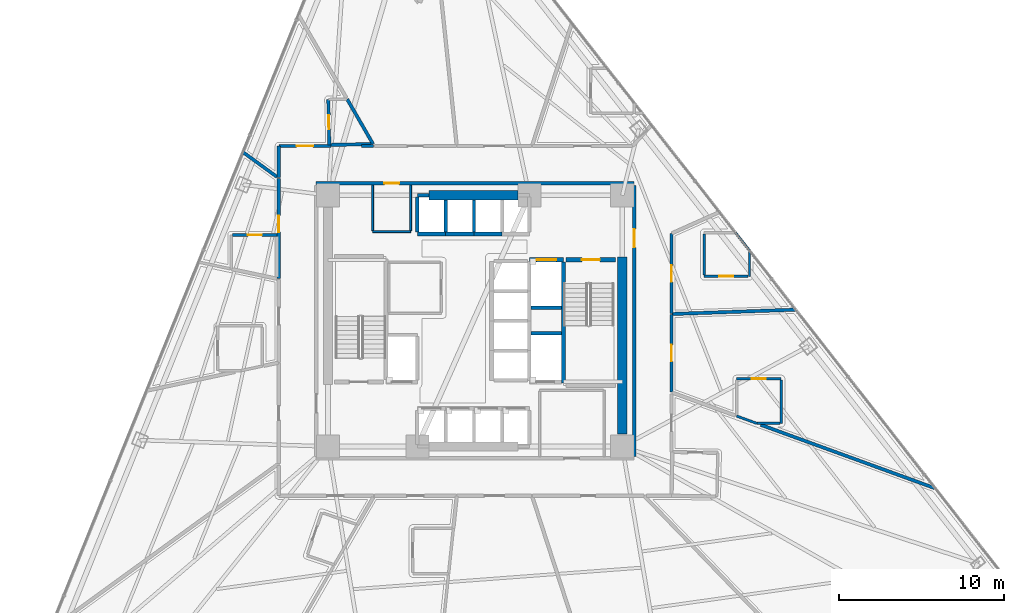
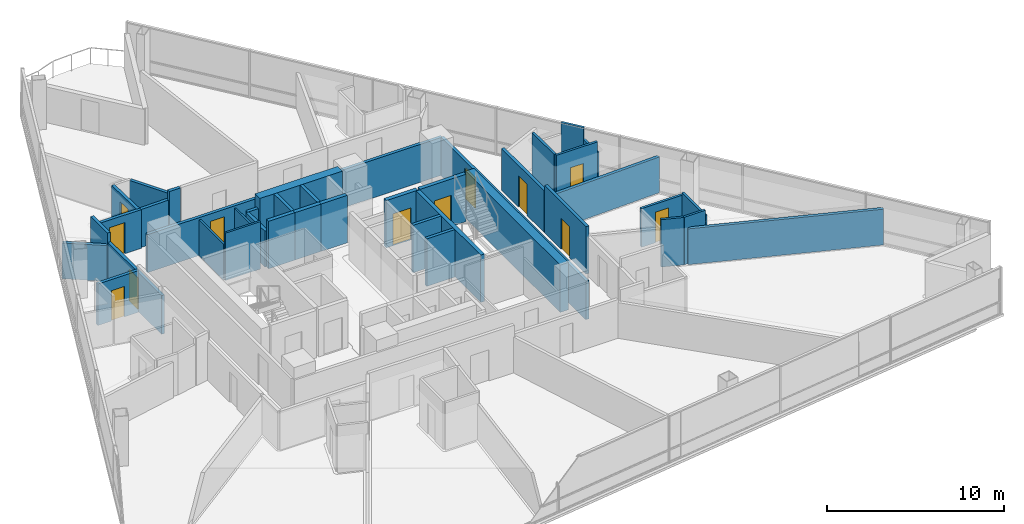
# One storey, part 9 of 15: 40 walls, 12 doors, 12 openings.
"""IFC4 building model written with IfcOpenShell, lengths in metres."""

from ifc_helpers import new_model, si_unit, direction, frame, frame_2d, origin, place, context, subcontext, project, spatial, rectangle, extrude, material, layer, layer_set, type_object, element, fill, save


model = new_model("IFC4")

# Units and contexts
model_context = context("Model", 3, precision=1e-05, world=origin(), true_north=direction((0.0, 1.0)))
body_context = subcontext(model_context, "Body", "Model", "MODEL_VIEW")
ifc_project = project(units=[si_unit("LENGTHUNIT", "METRE"), si_unit("AREAUNIT", "SQUARE_METRE"), si_unit("VOLUMEUNIT", "CUBIC_METRE"), si_unit("PLANEANGLEUNIT", "RADIAN"), si_unit("MASSUNIT", "GRAM", prefix="KILO")], contexts=[model_context])

# Site, building, storey
site_placement = place(None, origin())
site = spatial("IfcSite", under=ifc_project, at=site_placement, CompositionType="ELEMENT")
building_placement = place(site_placement, origin())
building = spatial("IfcBuilding", under=site, at=building_placement, Name="Tharavind Bronze Gate", CompositionType="ELEMENT")
storey_placement = place(building_placement, frame((0.0, 0.0, 63.85009765625)))
storey = spatial("IfcBuildingStorey", under=building, at=storey_placement, Name="L15", CompositionType="ELEMENT", Elevation=63.85009765625)

# Wall, opening, door
ifc_material_1 = material(Name="Aerated Concrete Block", Category="concrete")
ifc_layer_1 = layer(ifc_material_1, 0.199951171875)
ifc_layer_set_1 = layer_set([ifc_layer_1], Name="Aerated Concrete Block")
wall_type_1 = type_object("IfcWallType", Name="FIRE RATED PARTITION 200", PredefinedType="PARTITIONING", material=ifc_layer_set_1)
wall_1_placement = place(storey_placement, frame((9.6201171875, 8.320068359375, 0.0), z_axis=(0.0, 0.0, 1.0), x_axis=(-1.0, 0.0, 0.0)))
wall_1 = element("IfcWall", 1, at=wall_1_placement, inside=storey, type_object=wall_type_1, Name="L15 north core corridor wall", PredefinedType="PARTITIONING", context=body_context, shape_type="SweptSolid", body=[
    extrude(rectangle(XDim=19.240234375, YDim=0.199951171875, at=frame_2d((9.6201171875, 0.0))), origin(), (0.0, 0.0, 1.0), 2.619873046875),
])
opening_1_placement = place(wall_1_placement, frame((14.219970703125, 0.0, 0.0)))
opening_1 = element("IfcOpeningElement", 2, at=opening_1_placement, cuts=wall_1, Name="Opening ID07", PredefinedType="OPENING", context=body_context, shape_type="SweptSolid", body=[
    extrude(rectangle(XDim=0.89990234375, YDim=2.10009765625, at=frame_2d((0.449951171875, 1.050048828125))), frame((0.0, 0.11009765625, 0.0), z_axis=(0.0, -1.0, 0.0), x_axis=(1.0, 0.0, 0.0)), (0.0, 0.0, 1.0), 0.219951171875),
])
ifc_material_2 = material(Name="Galvanised Fire Steel", Category="steel")
door_type_1 = type_object("IfcDoorType", Name="PLANT AND RISER FIRE DOOR 900X2100", OperationType="SINGLE_SWING_LEFT", PredefinedType="DOOR", material=ifc_material_2)
door_1_placement = place(opening_1_placement, origin())
door_1 = element("IfcDoor", 3, at=door_1_placement, inside=storey, type_object=door_type_1, Name="L15 Electrical Switch Cupboard fire door", OperationType="SINGLE_SWING_LEFT", OverallHeight=2.10009765625, OverallWidth=0.89990234375, PredefinedType="DOOR", context=body_context, shape_type="SweptSolid", body=[
    extrude(rectangle(XDim=0.89990234375, YDim=2.10009765625, at=frame_2d((0.449951171875, 1.050048828125))), frame((0.0, 0.02490234375, 0.0), z_axis=(0.0, -1.0, 0.0), x_axis=(1.0, 0.0, 0.0)), (0.0, 0.0, 1.0), 0.050048828125),
])
fill(opening_1, door_1)

wall_2_placement = place(storey_placement, frame((9.6201171875, -8.199951171875, 0.0), z_axis=(0.0, 0.0, 1.0), x_axis=(0.0, 1.0, 0.0)))
wall_2 = element("IfcWall", 4, at=wall_2_placement, inside=storey, type_object=wall_type_1, Name="L15 east core corridor wall", PredefinedType="PARTITIONING", context=body_context, shape_type="SweptSolid", body=[
    extrude(rectangle(XDim=16.39990234375, YDim=0.199951171875, at=frame_2d((8.199951171875, 0.0))), origin(), (0.0, 0.0, 1.0), 2.669921875),
])
opening_2_placement = place(wall_2_placement, frame((12.64990234375, 0.0, 0.0)))
opening_2 = element("IfcOpeningElement", 5, at=opening_2_placement, cuts=wall_2, Name="Opening ID01", PredefinedType="OPENING", context=body_context, shape_type="SweptSolid", body=[
    extrude(rectangle(XDim=1.10009765625, YDim=2.14990234375, at=frame_2d((0.550048828125, 1.074951171875))), frame((0.0, 0.11009765625, 0.0), z_axis=(0.0, -1.0, 0.0), x_axis=(1.0, 0.0, 0.0)), (0.0, 0.0, 1.0), 0.219951171875),
])
ifc_material_3 = material(Name="Fire-Rated Steel", Category="steel")
door_type_2 = type_object("IfcDoorType", Name="STAIR CORE FIRE DOOR 1100X2150", OperationType="SINGLE_SWING_LEFT", PredefinedType="DOOR", material=ifc_material_3)
door_2_placement = place(opening_2_placement, frame((1.10009765625, 0.0, 0.0), z_axis=(0.0, 0.0, 1.0), x_axis=(-1.0, 0.0, 0.0)))
door_2 = element("IfcDoor", 6, at=door_2_placement, inside=storey, type_object=door_type_2, Name="L15 north east stair lobby fire door", OperationType="SINGLE_SWING_LEFT", OverallHeight=2.14990234375, OverallWidth=1.10009765625, PredefinedType="DOOR", context=body_context, shape_type="SweptSolid", body=[
    extrude(rectangle(XDim=1.10009765625, YDim=2.14990234375, at=frame_2d((0.550048828125, 1.074951171875))), frame((0.0, 0.02490234375, 0.0), z_axis=(0.0, -1.0, 0.0), x_axis=(1.0, 0.0, 0.0)), (0.0, 0.0, 1.0), 0.050048828125),
])
fill(opening_2, door_2)

wall_3_placement = place(storey_placement, frame((-8.8271484375, 10.644287109375, 0.0), z_axis=(0.0, 0.0, 1.0), x_axis=(-0.021041428763, 0.99977860463, 0.0)))
wall_3 = element("IfcWall", 7, at=wall_3_placement, inside=storey, type_object=wall_type_1, Name="L15 En-Suite Bathroom partition", PredefinedType="PARTITIONING", context=body_context, shape_type="SweptSolid", body=[
    extrude(rectangle(XDim=2.749755859375, YDim=0.199951171875, at=frame_2d((1.375, 0.0))), origin(), (0.0, 0.0, 1.0), 2.669921875),
])
opening_3_placement = place(wall_3_placement, frame((0.949951171875, 0.0, 0.0)))
opening_3 = element("IfcOpeningElement", 8, at=opening_3_placement, cuts=wall_3, Name="Opening ID06", PredefinedType="OPENING", context=body_context, shape_type="SweptSolid", body=[
    extrude(rectangle(XDim=0.85009765625, YDim=2.10009765625, at=frame_2d((0.425048828125, 1.050048828125))), frame((0.0, 0.11009765625, 0.0), z_axis=(0.0, -1.0, 0.0), x_axis=(1.0, 0.0, 0.0)), (0.0, 0.0, 1.0), 0.219951171875),
])
ifc_material_4 = material(Name="Moisture-Resistant Timber", Category="wood")
door_type_3 = type_object("IfcDoorType", Name="BATHROOM PRIVACY DOOR 850X2100", OperationType="SINGLE_SWING_RIGHT", PredefinedType="DOOR", material=ifc_material_4)
door_3_placement = place(opening_3_placement, origin())
door_3 = element("IfcDoor", 9, at=door_3_placement, inside=storey, type_object=door_type_3, Name="L15 En-Suite Bathroom door", OperationType="SINGLE_SWING_RIGHT", OverallHeight=2.10009765625, OverallWidth=0.85009765625, PredefinedType="DOOR", context=body_context, shape_type="SweptSolid", body=[
    extrude(rectangle(XDim=0.85009765625, YDim=2.10009765625, at=frame_2d((0.425048828125, 1.050048828125))), frame((0.0, 0.02490234375, 0.0), z_axis=(0.0, -1.0, 0.0), x_axis=(1.0, 0.0, 0.0)), (0.0, 0.0, 1.0), 0.050048828125),
])
fill(opening_3, door_3)

# Walls
wall_4_placement = place(storey_placement, frame((-7.74658203125, 13.41748046875, 0.0), z_axis=(0.0, 0.0, 1.0), x_axis=(0.50003000113, -0.866008081931, 0.0)))
element("IfcWall", 10, at=wall_4_placement, inside=storey, type_object=wall_type_1, Name="L15 En-Suite Bathroom partition", PredefinedType="PARTITIONING", context=body_context, shape_type="SweptSolid", body=[
    extrude(rectangle(XDim=3.137939453125, YDim=0.199951171875, at=frame_2d((1.56884765625, 0.0))), origin(), (0.0, 0.0, 1.0), 2.619873046875),
])
wall_5_placement = place(storey_placement, frame((-6.29736328125, 10.697509765625, 0.0), z_axis=(0.0, 0.0, 1.0), x_axis=(-0.999778667622, -0.021038435515, 0.0)))
element("IfcWall", 11, at=wall_5_placement, inside=storey, type_object=wall_type_1, Name="L15 En-Suite Bathroom partition", PredefinedType="PARTITIONING", context=body_context, shape_type="SweptSolid", body=[
    extrude(rectangle(XDim=2.42529296875, YDim=0.199951171875, at=frame_2d((1.212646484375, 0.0))), origin(), (0.0, 0.0, 1.0), 2.619873046875),
])

# Wall, opening, door
wall_6_placement = place(storey_placement, frame((-14.669921875, 5.20068359375, 0.0), z_axis=(0.0, 0.0, 1.0), x_axis=(1.0, 0.0, 0.0)))
wall_6 = element("IfcWall", 12, at=wall_6_placement, inside=storey, type_object=wall_type_1, Name="L15 En-Suite Bathroom partition", PredefinedType="PARTITIONING", context=body_context, shape_type="SweptSolid", body=[
    extrude(rectangle(XDim=2.669921875, YDim=0.199951171875, at=frame_2d((1.3349609375, 0.0))), origin(), (0.0, 0.0, 1.0), 2.869873046875),
])
opening_4_placement = place(wall_6_placement, frame((0.909912109375, 0.0, 0.0)))
opening_4 = element("IfcOpeningElement", 13, at=opening_4_placement, cuts=wall_6, Name="Opening ID06", PredefinedType="OPENING", context=body_context, shape_type="SweptSolid", body=[
    extrude(rectangle(XDim=0.85009765625, YDim=2.10009765625, at=frame_2d((0.425048828125, 1.050048828125))), frame((0.0, 0.11009765625, 0.0), z_axis=(0.0, -1.0, 0.0), x_axis=(1.0, 0.0, 0.0)), (0.0, 0.0, 1.0), 0.219951171875),
])
door_4_placement = place(opening_4_placement, origin())
door_4 = element("IfcDoor", 14, at=door_4_placement, inside=storey, type_object=door_type_3, Name="L15 En-Suite Bathroom door", OperationType="SINGLE_SWING_RIGHT", OverallHeight=2.10009765625, OverallWidth=0.85009765625, PredefinedType="DOOR", context=body_context, shape_type="SweptSolid", body=[
    extrude(rectangle(XDim=0.85009765625, YDim=2.10009765625, at=frame_2d((0.425048828125, 1.050048828125))), frame((0.0, 0.02490234375, 0.0), z_axis=(0.0, -1.0, 0.0), x_axis=(1.0, 0.0, 0.0)), (0.0, 0.0, 1.0), 0.050048828125),
])
fill(opening_4, door_4)

# Wall
wall_7_placement = place(storey_placement, frame((19.38818359375, 0.677001953125, 0.0), z_axis=(0.0, 0.0, 1.0), x_axis=(-0.999391073602, -0.034892434782, 0.0)))
element("IfcWall", 15, at=wall_7_placement, inside=storey, type_object=wall_type_1, Name="L15 Diplomatic Hotel Suite partition", PredefinedType="PARTITIONING", context=body_context, shape_type="SweptSolid", body=[
    extrude(rectangle(XDim=7.48681640625, YDim=0.199951171875, at=frame_2d((3.743408203125, 0.0))), origin(), (0.0, 0.0, 1.0), 2.469970703125),
])

# Wall, opening, door
wall_8_placement = place(storey_placement, frame((11.8798828125, 0.440673828125, 0.0), z_axis=(0.0, 0.0, 1.0), x_axis=(0.0, 1.0, 0.0)))
wall_8 = element("IfcWall", 16, at=wall_8_placement, inside=storey, type_object=wall_type_1, Name="L15 Diplomatic Hotel Suite partition", PredefinedType="PARTITIONING", context=body_context, shape_type="SweptSolid", body=[
    extrude(rectangle(XDim=4.83251953125, YDim=0.199951171875, at=frame_2d((2.416259765625, 0.0))), origin(), (0.0, 0.0, 1.0), 2.869873046875),
])
opening_5_placement = place(wall_8_placement, frame((1.916015625, 0.0, 0.0)))
opening_5 = element("IfcOpeningElement", 17, at=opening_5_placement, cuts=wall_8, Name="Opening ID03", PredefinedType="OPENING", context=body_context, shape_type="SweptSolid", body=[
    extrude(rectangle(XDim=1.0, YDim=2.14990234375, at=frame_2d((0.5, 1.074951171875))), frame((0.0, 0.11009765625, 0.0), z_axis=(0.0, -1.0, 0.0), x_axis=(1.0, 0.0, 0.0)), (0.0, 0.0, 1.0), 0.219951171875),
])
ifc_material_5 = material(Name="Solid Timber Veneer", Category="wood")
door_type_4 = type_object("IfcDoorType", Name="HOTEL SUITE ENTRANCE DOOR 1000X2150", OperationType="SINGLE_SWING_LEFT", PredefinedType="DOOR", material=ifc_material_5)
door_5_placement = place(opening_5_placement, origin())
door_5 = element("IfcDoor", 18, at=door_5_placement, inside=storey, type_object=door_type_4, Name="L15 Diplomatic Hotel Suite door", OperationType="SINGLE_SWING_LEFT", OverallHeight=2.14990234375, OverallWidth=1.0, PredefinedType="DOOR", context=body_context, shape_type="SweptSolid", body=[
    extrude(rectangle(XDim=1.0, YDim=2.14990234375, at=frame_2d((0.5, 1.074951171875))), frame((0.0, 0.02490234375, 0.0), z_axis=(0.0, -1.0, 0.0), x_axis=(1.0, 0.0, 0.0)), (0.0, 0.0, 1.0), 0.050048828125),
])
fill(opening_5, door_5)

# Walls
wall_9_placement = place(storey_placement, frame((-11.8798828125, 10.579345703125, 0.0), z_axis=(0.0, 0.0, 1.0), x_axis=(0.0, -1.0, 0.0)))
element("IfcWall", 19, at=wall_9_placement, inside=storey, type_object=wall_type_1, Name="L15 Hotel Deluxe Room partition", PredefinedType="PARTITIONING", context=body_context, shape_type="SweptSolid", body=[
    extrude(rectangle(XDim=1.89892578125, YDim=0.199951171875, at=frame_2d((0.949462890625, 0.0))), origin(), (0.0, 0.0, 1.0), 3.27490234375),
])
wall_10_placement = place(storey_placement, frame((-11.985107421875, 8.70751953125, 0.0), z_axis=(0.0, 0.0, 1.0), x_axis=(-0.808973513656, 0.587845093713, 0.0)))
element("IfcWall", 20, at=wall_10_placement, inside=storey, type_object=wall_type_1, Name="L15 Hotel Deluxe Room partition", PredefinedType="PARTITIONING", context=body_context, shape_type="SweptSolid", body=[
    extrude(rectangle(XDim=2.533935546875, YDim=0.199951171875, at=frame_2d((1.26708984375, 0.0))), origin(), (0.0, 0.0, 1.0), 2.469970703125),
])
wall_11_placement = place(storey_placement, frame((-6.151611328125, 10.580078125, 0.0), z_axis=(0.0, 0.0, 1.0), x_axis=(-1.0, 0.0, 0.0)))
element("IfcWall", 21, at=wall_11_placement, inside=storey, type_object=wall_type_1, Name="L15 Hotel Deluxe Room partition", PredefinedType="PARTITIONING", context=body_context, shape_type="SweptSolid", body=[
    extrude(rectangle(XDim=0.73779296875, YDim=0.199951171875, at=frame_2d((0.368896484375, 0.0))), origin(), (0.0, 0.0, 1.0), 3.27490234375),
])

# Wall, opening, door
wall_12_placement = place(storey_placement, frame((-8.720703125, 10.580078125, 0.0), z_axis=(0.0, 0.0, 1.0), x_axis=(-1.0, 0.0, 0.0)))
wall_12 = element("IfcWall", 22, at=wall_12_placement, inside=storey, type_object=wall_type_1, Name="L15 Hotel Deluxe Room partition", PredefinedType="PARTITIONING", context=body_context, shape_type="SweptSolid", body=[
    extrude(rectangle(XDim=3.15869140625, YDim=0.199951171875, at=frame_2d((1.579345703125, 0.0))), origin(), (0.0, 0.0, 1.0), 2.669921875),
])
opening_6_placement = place(wall_12_placement, frame((1.0791015625, 0.0, 0.0)))
opening_6 = element("IfcOpeningElement", 23, at=opening_6_placement, cuts=wall_12, Name="Opening ID03", PredefinedType="OPENING", context=body_context, shape_type="SweptSolid", body=[
    extrude(rectangle(XDim=1.0, YDim=2.14990234375, at=frame_2d((0.5, 1.074951171875))), frame((0.0, 0.11009765625, 0.0), z_axis=(0.0, -1.0, 0.0), x_axis=(1.0, 0.0, 0.0)), (0.0, 0.0, 1.0), 0.219951171875),
])
door_6_placement = place(opening_6_placement, origin())
door_6 = element("IfcDoor", 24, at=door_6_placement, inside=storey, type_object=door_type_4, Name="L15 Hotel Deluxe Room door", OperationType="SINGLE_SWING_LEFT", OverallHeight=2.14990234375, OverallWidth=1.0, PredefinedType="DOOR", context=body_context, shape_type="SweptSolid", body=[
    extrude(rectangle(XDim=1.0, YDim=2.14990234375, at=frame_2d((0.5, 1.074951171875))), frame((0.0, 0.02490234375, 0.0), z_axis=(0.0, -1.0, 0.0), x_axis=(1.0, 0.0, 0.0)), (0.0, 0.0, 1.0), 0.050048828125),
])
fill(opening_6, door_6)

wall_13_placement = place(storey_placement, frame((-11.8798828125, 8.61865234375, 0.0), z_axis=(0.0, 0.0, 1.0), x_axis=(0.0, -1.0, 0.0)))
wall_13 = element("IfcWall", 25, at=wall_13_placement, inside=storey, type_object=wall_type_1, Name="L15 Hotel Guest Room partition", PredefinedType="PARTITIONING", context=body_context, shape_type="SweptSolid", body=[
    extrude(rectangle(XDim=6.062744140625, YDim=0.199951171875, at=frame_2d((3.03125, 0.0))), origin(), (0.0, 0.0, 1.0), 2.669921875),
])
opening_7_placement = place(wall_13_placement, frame((2.2509765625, 0.0, 0.0)))
opening_7 = element("IfcOpeningElement", 26, at=opening_7_placement, cuts=wall_13, Name="Opening ID03", PredefinedType="OPENING", context=body_context, shape_type="SweptSolid", body=[
    extrude(rectangle(XDim=1.0, YDim=2.14990234375, at=frame_2d((0.5, 1.074951171875))), frame((0.0, 0.11009765625, 0.0), z_axis=(0.0, -1.0, 0.0), x_axis=(1.0, 0.0, 0.0)), (0.0, 0.0, 1.0), 0.219951171875),
])
door_7_placement = place(opening_7_placement, origin())
door_7 = element("IfcDoor", 27, at=door_7_placement, inside=storey, type_object=door_type_4, Name="L15 Hotel Guest Room door", OperationType="SINGLE_SWING_LEFT", OverallHeight=2.14990234375, OverallWidth=1.0, PredefinedType="DOOR", context=body_context, shape_type="SweptSolid", body=[
    extrude(rectangle(XDim=1.0, YDim=2.14990234375, at=frame_2d((0.5, 1.074951171875))), frame((0.0, 0.02490234375, 0.0), z_axis=(0.0, -1.0, 0.0), x_axis=(1.0, 0.0, 0.0)), (0.0, 0.0, 1.0), 0.050048828125),
])
fill(opening_7, door_7)

# Wall
wall_14_placement = place(storey_placement, frame((17.27392578125, -6.287109375, 0.0), z_axis=(0.0, 0.0, 1.0), x_axis=(0.939692436803, -0.342020648814, 0.0)))
element("IfcWall", 28, at=wall_14_placement, inside=storey, type_object=wall_type_1, Name="L15 Corner Hotel Suite partition", PredefinedType="PARTITIONING", context=body_context, shape_type="SweptSolid", body=[
    extrude(rectangle(XDim=11.2275390625, YDim=0.199951171875, at=frame_2d((5.61376953125, 0.0))), origin(), (0.0, 0.0, 1.0), 2.469970703125),
])

# Wall, opening, door
wall_15_placement = place(storey_placement, frame((11.8798828125, -4.306396484375, 0.0), z_axis=(0.0, 0.0, 1.0), x_axis=(0.0, 1.0, 0.0)))
wall_15 = element("IfcWall", 29, at=wall_15_placement, inside=storey, type_object=wall_type_1, Name="L15 Hotel Guest Room partition", PredefinedType="PARTITIONING", context=body_context, shape_type="SweptSolid", body=[
    extrude(rectangle(XDim=4.697021484375, YDim=0.199951171875, at=frame_2d((2.3486328125, 0.0))), origin(), (0.0, 0.0, 1.0), 3.27490234375),
])
opening_8_placement = place(wall_15_placement, frame((1.84912109375, 0.0, 0.0)))
opening_8 = element("IfcOpeningElement", 30, at=opening_8_placement, cuts=wall_15, Name="Opening ID03", PredefinedType="OPENING", context=body_context, shape_type="SweptSolid", body=[
    extrude(rectangle(XDim=1.0, YDim=2.14990234375, at=frame_2d((0.5, 1.074951171875))), frame((0.0, 0.11009765625, 0.0), z_axis=(0.0, -1.0, 0.0), x_axis=(1.0, 0.0, 0.0)), (0.0, 0.0, 1.0), 0.219951171875),
])
door_8_placement = place(opening_8_placement, origin())
door_8 = element("IfcDoor", 31, at=door_8_placement, inside=storey, type_object=door_type_4, Name="L15 Hotel Guest Room door", OperationType="SINGLE_SWING_LEFT", OverallHeight=2.14990234375, OverallWidth=1.0, PredefinedType="DOOR", context=body_context, shape_type="SweptSolid", body=[
    extrude(rectangle(XDim=1.0, YDim=2.14990234375, at=frame_2d((0.5, 1.074951171875))), frame((0.0, 0.02490234375, 0.0), z_axis=(0.0, -1.0, 0.0), x_axis=(1.0, 0.0, 0.0)), (0.0, 0.0, 1.0), 0.050048828125),
])
fill(opening_8, door_8)

# Walls
ifc_material_6 = material(Name="Metal Stud Gypsum Partition", Category="gypsum")
ifc_layer_2 = layer(ifc_material_6, 0.1201171875)
ifc_layer_set_2 = layer_set([ifc_layer_2], Name="Metal Stud Gypsum Partition")
wall_type_2 = type_object("IfcWallType", Name="INTERIOR PARTITION WALL 120", PredefinedType="PARTITIONING", material=ifc_layer_set_2)
wall_16_placement = place(storey_placement, frame((-6.199951171875, 5.39990234375, 0.0), z_axis=(0.0, 0.0, 1.0), x_axis=(1.0, 0.0, 0.0)))
element("IfcWall", 32, at=wall_16_placement, inside=storey, type_object=wall_type_2, Name="L15 Electrical Switch Cupboard partition 1", PredefinedType="PARTITIONING", context=body_context, shape_type="SweptSolid", body=[
    extrude(rectangle(XDim=2.300048828125, YDim=0.1201171875, at=frame_2d((1.14990234375, 0.0))), origin(), (0.0, 0.0, 1.0), 3.27490234375),
])
for number, where, z_axis, x_axis, name in (
    (33, (-3.89990234375, 5.465087890625, 0.0), (0.0, 0.0, 1.0), (0.0, 1.0, 0.0), "L15 Electrical Switch Cupboard partition 2"),
    (34, (-6.199951171875, 8.215087890625, 0.0), (0.0, 0.0, 1.0), (0.0, -1.0, 0.0), "L15 Electrical Switch Cupboard partition 4"),
):
    element("IfcWall", number, at=place(storey_placement, frame(where, z_axis=z_axis, x_axis=x_axis)), inside=storey, type_object=wall_type_2, Name=name, PredefinedType="PARTITIONING", context=body_context, shape_type="SweptSolid", body=[
        extrude(rectangle(XDim=2.75, YDim=0.1201171875, at=frame_2d((1.375, 0.0))), origin(), (0.0, 0.0, 1.0), 2.469970703125),
    ])
ifc_material_7 = material(Name="Twin Stud Acoustic Gypsum", Category="gypsum")
ifc_layer_3 = layer(ifc_material_7, 0.14990234375)
ifc_layer_set_3 = layer_set([ifc_layer_3], Name="Twin Stud Acoustic Gypsum")
wall_type_3 = type_object("IfcWallType", Name="INTERIOR PARTITION WALL 150", PredefinedType="PARTITIONING", material=ifc_layer_set_3)
wall_17_placement = place(storey_placement, frame((15.742919921875, 5.3427734375, 0.0), z_axis=(0.0, 0.0, 1.0), x_axis=(0.615650847495, -0.788019056862, 0.0)))
element("IfcWall", 35, at=wall_17_placement, inside=storey, type_object=wall_type_3, Name="L15 En-Suite Bathroom partition", PredefinedType="PARTITIONING", context=body_context, shape_type="SweptSolid", body=[
    extrude(rectangle(XDim=1.392333984375, YDim=0.14990234375, at=frame_2d((0.6962890625, 0.0))), origin(), (0.0, 0.0, 1.0), 3.27490234375),
])
wall_18_placement = place(storey_placement, frame((16.60009765625, 4.24560546875, 0.0), z_axis=(0.0, 0.0, 1.0), x_axis=(0.0, -1.0, 0.0)))
element("IfcWall", 36, at=wall_18_placement, inside=storey, type_object=wall_type_3, Name="L15 En-Suite Bathroom partition", PredefinedType="PARTITIONING", context=body_context, shape_type="SweptSolid", body=[
    extrude(rectangle(XDim=1.552978515625, YDim=0.14990234375, at=frame_2d((0.7763671875, 0.0))), origin(), (0.0, 0.0, 1.0), 2.469970703125),
])

# Wall, opening, door
wall_19_placement = place(storey_placement, frame((16.52001953125, 2.692626953125, 0.0), z_axis=(0.0, 0.0, 1.0), x_axis=(-1.0, 0.0, 0.0)))
wall_19 = element("IfcWall", 37, at=wall_19_placement, inside=storey, type_object=wall_type_3, Name="L15 En-Suite Bathroom partition", PredefinedType="PARTITIONING", context=body_context, shape_type="SweptSolid", body=[
    extrude(rectangle(XDim=2.669921875, YDim=0.14990234375, at=frame_2d((1.3349609375, 0.0))), origin(), (0.0, 0.0, 1.0), 3.27490234375),
])
opening_9_placement = place(wall_19_placement, frame((0.909912109375, 0.0, 0.0)))
opening_9 = element("IfcOpeningElement", 38, at=opening_9_placement, cuts=wall_19, Name="Opening ID06", PredefinedType="OPENING", context=body_context, shape_type="SweptSolid", body=[
    extrude(rectangle(XDim=0.85009765625, YDim=2.10009765625, at=frame_2d((0.425048828125, 1.050048828125))), frame((0.0, 0.084951171875, 0.0), z_axis=(0.0, -1.0, 0.0), x_axis=(1.0, 0.0, 0.0)), (0.0, 0.0, 1.0), 0.16990234375),
])
door_9_placement = place(opening_9_placement, origin())
door_9 = element("IfcDoor", 39, at=door_9_placement, inside=storey, type_object=door_type_3, Name="L15 En-Suite Bathroom door", OperationType="SINGLE_SWING_RIGHT", OverallHeight=2.10009765625, OverallWidth=0.85009765625, PredefinedType="DOOR", context=body_context, shape_type="SweptSolid", body=[
    extrude(rectangle(XDim=0.85009765625, YDim=2.10009765625, at=frame_2d((0.425048828125, 1.050048828125))), frame((0.0, 0.02490234375, 0.0), z_axis=(0.0, -1.0, 0.0), x_axis=(1.0, 0.0, 0.0)), (0.0, 0.0, 1.0), 0.050048828125),
])
fill(opening_9, door_9)

# Wall
wall_20_placement = place(storey_placement, frame((13.85009765625, 2.772705078125, 0.0), z_axis=(0.0, 0.0, 1.0), x_axis=(0.0, 1.0, 0.0)))
element("IfcWall", 40, at=wall_20_placement, inside=storey, type_object=wall_type_3, Name="L15 En-Suite Bathroom partition", PredefinedType="PARTITIONING", context=body_context, shape_type="SweptSolid", body=[
    extrude(rectangle(XDim=2.489990234375, YDim=0.14990234375, at=frame_2d((1.2451171875, 0.0))), origin(), (0.0, 0.0, 1.0), 3.27490234375),
])

# Wall, opening, door
wall_21_placement = place(storey_placement, frame((15.820068359375, -3.507080078125, 0.0), z_axis=(0.0, 0.0, 1.0), x_axis=(1.0, 0.0, 0.0)))
wall_21 = element("IfcWall", 41, at=wall_21_placement, inside=storey, type_object=wall_type_3, Name="L15 En-Suite Bathroom partition", PredefinedType="PARTITIONING", context=body_context, shape_type="SweptSolid", body=[
    extrude(rectangle(XDim=2.699951171875, YDim=0.14990234375, at=frame_2d((1.35009765625, 0.0))), origin(), (0.0, 0.0, 1.0), 2.669921875),
])
opening_10_placement = place(wall_21_placement, frame((0.925048828125, 0.0, 0.0)))
opening_10 = element("IfcOpeningElement", 42, at=opening_10_placement, cuts=wall_21, Name="Opening ID06", PredefinedType="OPENING", context=body_context, shape_type="SweptSolid", body=[
    extrude(rectangle(XDim=0.85009765625, YDim=2.10009765625, at=frame_2d((0.425048828125, 1.050048828125))), frame((0.0, 0.084951171875, 0.0), z_axis=(0.0, -1.0, 0.0), x_axis=(1.0, 0.0, 0.0)), (0.0, 0.0, 1.0), 0.16990234375),
])
door_10_placement = place(opening_10_placement, origin())
door_10 = element("IfcDoor", 43, at=door_10_placement, inside=storey, type_object=door_type_3, Name="L15 En-Suite Bathroom door", OperationType="SINGLE_SWING_RIGHT", OverallHeight=2.10009765625, OverallWidth=0.85009765625, PredefinedType="DOOR", context=body_context, shape_type="SweptSolid", body=[
    extrude(rectangle(XDim=0.85009765625, YDim=2.10009765625, at=frame_2d((0.425048828125, 1.050048828125))), frame((0.0, 0.02490234375, 0.0), z_axis=(0.0, -1.0, 0.0), x_axis=(1.0, 0.0, 0.0)), (0.0, 0.0, 1.0), 0.050048828125),
])
fill(opening_10, door_10)

# Walls
wall_22_placement = place(storey_placement, frame((18.52001953125, -3.587158203125, 0.0), z_axis=(0.0, 0.0, 1.0), x_axis=(0.0, -1.0, 0.0)))
element("IfcWall", 44, at=wall_22_placement, inside=storey, type_object=wall_type_3, Name="L15 En-Suite Bathroom partition", PredefinedType="PARTITIONING", context=body_context, shape_type="SweptSolid", body=[
    extrude(rectangle(XDim=2.6201171875, YDim=0.14990234375, at=frame_2d((1.31005859375, 0.0))), origin(), (0.0, 0.0, 1.0), 2.869873046875),
])
wall_23_placement = place(storey_placement, frame((18.440185546875, -6.207275390625, 0.0), z_axis=(0.0, 0.0, 1.0), x_axis=(-1.0, 0.0, 0.0)))
element("IfcWall", 45, at=wall_23_placement, inside=storey, type_object=wall_type_3, Name="L15 En-Suite Bathroom partition", PredefinedType="PARTITIONING", context=body_context, shape_type="SweptSolid", body=[
    extrude(rectangle(XDim=1.38623046875, YDim=0.14990234375, at=frame_2d((0.693115234375, 0.0))), origin(), (0.0, 0.0, 1.0), 3.27490234375),
])
wall_24_placement = place(storey_placement, frame((17.053955078125, -6.207275390625, 0.0), z_axis=(0.0, 0.0, 1.0), x_axis=(-0.939663072244, 0.342101316369, 0.0)))
element("IfcWall", 46, at=wall_24_placement, inside=storey, type_object=wall_type_3, Name="L15 En-Suite Bathroom partition", PredefinedType="PARTITIONING", context=body_context, shape_type="SweptSolid", body=[
    extrude(rectangle(XDim=1.313232421875, YDim=0.14990234375, at=frame_2d((0.65673828125, 0.0))), origin(), (0.0, 0.0, 1.0), 3.27490234375),
])
ifc_material_8 = material(Name="Concrete C50/60", Category="concrete")
ifc_layer_4 = layer(ifc_material_8, 0.25)
ifc_layer_set_4 = layer_set([ifc_layer_4], Name="Concrete C50/60")
wall_type_4 = type_object("IfcWallType", Name="RC CORE SHEAR WALL 250", PredefinedType="SHEAR", material=ifc_layer_set_4)
wall_25_placement = place(storey_placement, frame((5.35009765625, -3.75, 0.0), z_axis=(0.0, 0.0, 1.0), x_axis=(0.0, 1.0, 0.0)))
element("IfcWall", 47, at=wall_25_placement, inside=storey, type_object=wall_type_4, Name="L15 ST2 shaft west wall", PredefinedType="SHEAR", context=body_context, shape_type="SweptSolid", body=[
    extrude(rectangle(XDim=7.300048828125, YDim=0.25, at=frame_2d((3.64990234375, 0.0))), origin(), (0.0, 0.0, 1.0), 3.27490234375),
])

# Wall, opening, door
wall_26_placement = place(storey_placement, frame((5.5, 3.699951171875, 0.0), z_axis=(0.0, 0.0, 1.0), x_axis=(1.0, 0.0, 0.0)))
wall_26 = element("IfcWall", 48, at=wall_26_placement, inside=storey, type_object=wall_type_4, Name="L15 ST2 shaft north wall", PredefinedType="SHEAR", context=body_context, shape_type="SweptSolid", body=[
    extrude(rectangle(XDim=3.0, YDim=0.25, at=frame_2d((1.5, 0.0))), origin(), (0.0, 0.0, 1.0), 3.27490234375),
])
opening_11_placement = place(wall_26_placement, frame((0.949951171875, 0.0, 0.0)))
opening_11 = element("IfcOpeningElement", 49, at=opening_11_placement, cuts=wall_26, Name="Opening ID01", PredefinedType="OPENING", context=body_context, shape_type="SweptSolid", body=[
    extrude(rectangle(XDim=1.10009765625, YDim=2.14990234375, at=frame_2d((0.550048828125, 1.074951171875))), frame((0.0, 0.135, 0.0), z_axis=(0.0, -1.0, 0.0), x_axis=(1.0, 0.0, 0.0)), (0.0, 0.0, 1.0), 0.27),
])
door_11_placement = place(opening_11_placement, frame((1.10009765625, 0.0, 0.0), z_axis=(0.0, 0.0, 1.0), x_axis=(-1.0, 0.0, 0.0)))
door_11 = element("IfcDoor", 50, at=door_11_placement, inside=storey, type_object=door_type_2, Name="L15 exit stair ST2 fire door", OperationType="SINGLE_SWING_LEFT", OverallHeight=2.14990234375, OverallWidth=1.10009765625, PredefinedType="DOOR", context=body_context, shape_type="SweptSolid", body=[
    extrude(rectangle(XDim=1.10009765625, YDim=2.14990234375, at=frame_2d((0.550048828125, 1.074951171875))), frame((0.0, 0.02490234375, 0.0), z_axis=(0.0, -1.0, 0.0), x_axis=(1.0, 0.0, 0.0)), (0.0, 0.0, 1.0), 0.050048828125),
])
fill(opening_11, door_11)

# Walls
wall_27_placement = place(storey_placement, frame((-3.5, 5.25, 0.0), z_axis=(0.0, 0.0, 1.0), x_axis=(1.0, 0.0, 0.0)))
element("IfcWall", 51, at=wall_27_placement, inside=storey, type_object=wall_type_4, Name="L15 lift PL5 shaft front wall", PredefinedType="SHEAR", context=body_context, shape_type="SweptSolid", body=[
    extrude(rectangle(XDim=1.71240234375, YDim=0.25, at=frame_2d((0.856201171875, 0.0))), origin(), (0.0, 0.0, 1.0), 3.27490234375),
])
wall_28_placement = place(storey_placement, frame((-1.78759765625, 5.25, 0.0), z_axis=(0.0, 0.0, 1.0), x_axis=(1.0, 0.0, 0.0)))
element("IfcWall", 52, at=wall_28_placement, inside=storey, type_object=wall_type_4, Name="L15 lift PL6 shaft front wall", PredefinedType="SHEAR", context=body_context, shape_type="SweptSolid", body=[
    extrude(rectangle(XDim=1.712646484375, YDim=0.25, at=frame_2d((0.8564453125, 0.0))), origin(), (0.0, 0.0, 1.0), 3.27490234375),
])
wall_29_placement = place(storey_placement, frame((-0.074951171875, 5.25, 0.0), z_axis=(0.0, 0.0, 1.0), x_axis=(1.0, 0.0, 0.0)))
element("IfcWall", 53, at=wall_29_placement, inside=storey, type_object=wall_type_4, Name="L15 lift PL7 shaft front wall", PredefinedType="SHEAR", context=body_context, shape_type="SweptSolid", body=[
    extrude(rectangle(XDim=1.71240234375, YDim=0.25, at=frame_2d((0.856201171875, 0.0))), origin(), (0.0, 0.0, 1.0), 3.27490234375),
])

# Wall, opening, door
wall_30_placement = place(storey_placement, frame((3.280029296875, 3.699951171875, 0.0), z_axis=(0.0, 0.0, 1.0), x_axis=(1.0, 0.0, 0.0)))
wall_30 = element("IfcWall", 54, at=wall_30_placement, inside=storey, type_object=wall_type_4, Name="L15 lift FFL2 shaft front wall", PredefinedType="SHEAR", context=body_context, shape_type="SweptSolid", body=[
    extrude(rectangle(XDim=2.070068359375, YDim=0.25, at=frame_2d((1.03515625, 0.0))), origin(), (0.0, 0.0, 1.0), 3.27490234375),
])
opening_12_placement = place(wall_30_placement, frame((0.43505859375, 0.0, 0.0)))
opening_12 = element("IfcOpeningElement", 55, at=opening_12_placement, cuts=wall_30, Name="Opening LD02", PredefinedType="OPENING", context=body_context, shape_type="SweptSolid", body=[
    extrude(rectangle(XDim=1.199951171875, YDim=2.199951171875, at=frame_2d((0.60009765625, 1.10009765625))), frame((0.0, 0.135, 0.0), z_axis=(0.0, -1.0, 0.0), x_axis=(1.0, 0.0, 0.0)), (0.0, 0.0, 1.0), 0.27),
])
ifc_material_9 = material(Name="Brushed Stainless Steel", Category="steel")
door_type_5 = type_object("IfcDoorType", Name="FIREFIGHTING LIFT LANDING DOOR 1200X2200", OperationType="SLIDING_TO_RIGHT", PredefinedType="DOOR", material=ifc_material_9)
door_12_placement = place(opening_12_placement, origin())
door_12 = element("IfcDoor", 56, at=door_12_placement, inside=storey, type_object=door_type_5, Name="L15 lift FFL2 sliding landing door", OperationType="SLIDING_TO_RIGHT", OverallHeight=2.199951171875, OverallWidth=1.199951171875, PredefinedType="DOOR", context=body_context, shape_type="SweptSolid", body=[
    extrude(rectangle(XDim=1.199951171875, YDim=2.199951171875, at=frame_2d((0.60009765625, 1.10009765625))), frame((0.0, 0.02490234375, 0.0), z_axis=(0.0, -1.0, 0.0), x_axis=(1.0, 0.0, 0.0)), (0.0, 0.0, 1.0), 0.050048828125),
])
fill(opening_12, door_12)

# Walls
ifc_material_10 = material(Name="Concrete C60/75", Category="concrete")
ifc_layer_5 = layer(ifc_material_10, 0.550048828125)
ifc_layer_set_5 = layer_set([ifc_layer_5], Name="Concrete C60/75")
wall_type_5 = type_object("IfcWallType", Name="RC CORE SHEAR WALL 550", PredefinedType="SHEAR", material=ifc_layer_set_5)
wall_31_placement = place(storey_placement, frame((-2.800048828125, 7.60009765625, 0.0), z_axis=(0.0, 0.0, 1.0), x_axis=(1.0, 0.0, 0.0)))
element("IfcWall", 57, at=wall_31_placement, inside=storey, type_object=wall_type_5, Name="L15 north core shear wall", PredefinedType="SHEAR", context=body_context, shape_type="SweptSolid", body=[
    extrude(rectangle(XDim=5.380126953125, YDim=0.550048828125, at=frame_2d((2.68994140625, 0.0))), origin(), (0.0, 0.0, 1.0), 3.27490234375),
])
wall_32_placement = place(storey_placement, frame((8.89990234375, -6.85009765625, 0.0), z_axis=(0.0, 0.0, 1.0), x_axis=(0.0, 1.0, 0.0)))
element("IfcWall", 58, at=wall_32_placement, inside=storey, type_object=wall_type_5, Name="L15 east core shear wall", PredefinedType="SHEAR", context=body_context, shape_type="SweptSolid", body=[
    extrude(rectangle(XDim=10.7001953125, YDim=0.550048828125, at=frame_2d((5.35009765625, 0.0))), origin(), (0.0, 0.0, 1.0), 3.27490234375),
])
ifc_material_11 = material(Name="Concrete C40/50", Category="concrete")
ifc_layer_6 = layer(ifc_material_11, 0.199951171875)
ifc_layer_set_6 = layer_set([ifc_layer_6], Name="Concrete C40/50")
wall_type_6 = type_object("IfcWallType", Name="SHAFT ENCLOSURE WALL 200", PredefinedType="PARTITIONING", material=ifc_layer_set_6)
wall_33_placement = place(storey_placement, frame((-3.5, 7.60009765625, 0.0), z_axis=(0.0, 0.0, 1.0), x_axis=(1.0, 0.0, 0.0)))
element("IfcWall", 59, at=wall_33_placement, inside=storey, type_object=wall_type_6, Name="L15 lift PL5 shaft N enclosure wall", PredefinedType="PARTITIONING", context=body_context, shape_type="SweptSolid", body=[
    extrude(rectangle(XDim=0.699951171875, YDim=0.199951171875, at=frame_2d((0.35009765625, 0.0))), origin(), (0.0, 0.0, 1.0), 2.469970703125),
])
wall_34_placement = place(storey_placement, frame((-3.5, 5.3798828125, 0.0), z_axis=(0.0, 0.0, 1.0), x_axis=(0.0, 1.0, 0.0)))
element("IfcWall", 60, at=wall_34_placement, inside=storey, type_object=wall_type_6, Name="L15 lift PL5 shaft W enclosure wall", PredefinedType="PARTITIONING", context=body_context, shape_type="SweptSolid", body=[
    extrude(rectangle(XDim=2.115234375, YDim=0.199951171875, at=frame_2d((1.0576171875, 0.0))), origin(), (0.0, 0.0, 1.0), 2.469970703125),
])
for number, where, z_axis, x_axis, name in (
    (61, (-1.78759765625, 5.3798828125, 0.0), (0.0, 0.0, 1.0), (0.0, 1.0, 0.0), "L15 lift PL5 shaft E enclosure wall"),
    (62, (-0.074951171875, 5.3798828125, 0.0), (0.0, 0.0, 1.0), (0.0, 1.0, 0.0), "L15 lift PL6 shaft E enclosure wall"),
):
    element("IfcWall", number, at=place(storey_placement, frame(where, z_axis=z_axis, x_axis=x_axis)), inside=storey, type_object=wall_type_6, Name=name, PredefinedType="PARTITIONING", context=body_context, shape_type="SweptSolid", body=[
        extrude(rectangle(XDim=1.940185546875, YDim=0.199951171875, at=frame_2d((0.97021484375, 0.0))), origin(), (0.0, 0.0, 1.0), 3.27490234375),
    ])
for number, where, z_axis, x_axis, name in (
    (63, (3.385009765625, 0.800048828125, 0.0), (0.0, 0.0, 1.0), (1.0, 0.0, 0.0), "L15 lift FFL2 shaft S enclosure wall"),
    (64, (3.385009765625, -0.75, 0.0), (0.0, 0.0, 1.0), (1.0, 0.0, 0.0), "L15 lift SVL1 shaft N enclosure wall"),
):
    element("IfcWall", number, at=place(storey_placement, frame(where, z_axis=z_axis, x_axis=x_axis)), inside=storey, type_object=wall_type_6, Name=name, PredefinedType="PARTITIONING", context=body_context, shape_type="SweptSolid", body=[
        extrude(rectangle(XDim=1.8349609375, YDim=0.199951171875, at=frame_2d((0.91748046875, 0.0))), origin(), (0.0, 0.0, 1.0), 3.27490234375),
    ])

save(model, "model.ifc")
